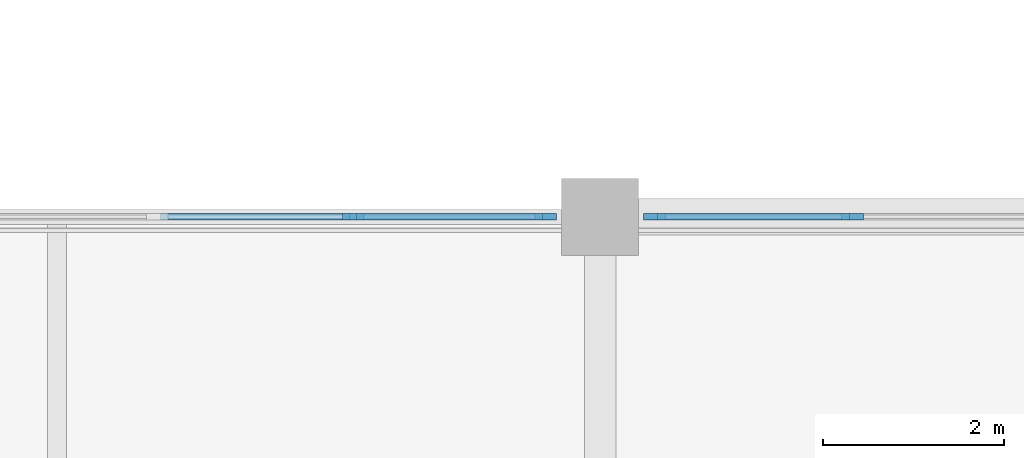
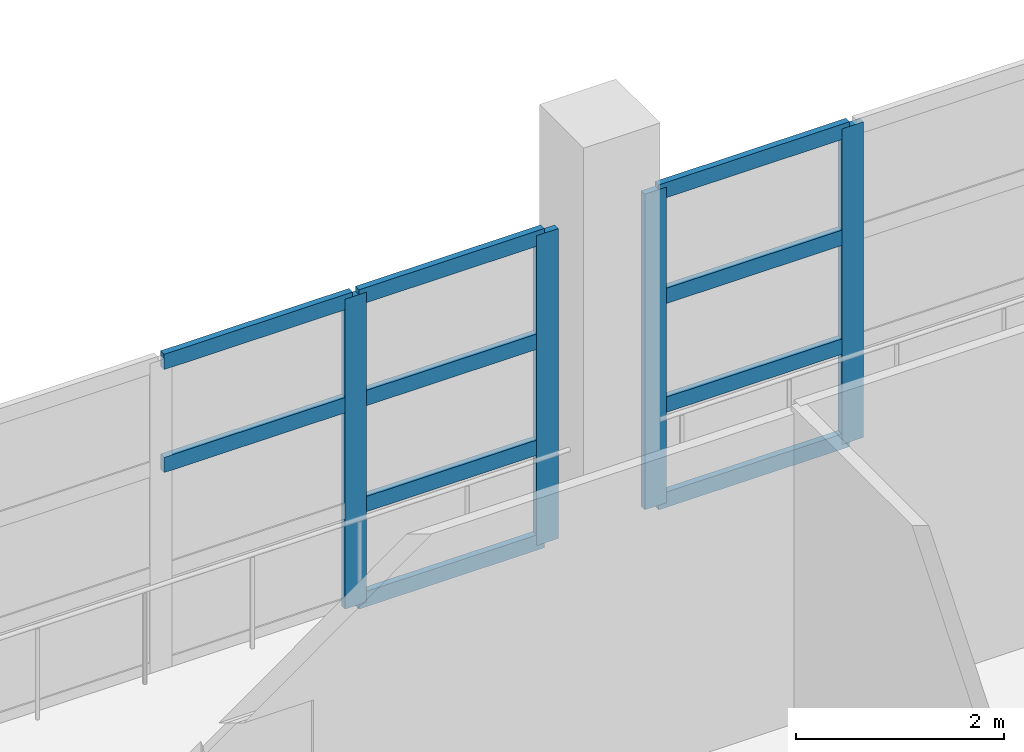
# One storey, part 13 of 53: 14 members, 2 elements without a shape of their own.
"""IFC4 building model written with IfcOpenShell, lengths in metres."""

from ifc_helpers import new_model, si_unit, direction, frame, origin, origin_2d, place, context, subcontext, project, spatial, rectangle, extrude, material, material_profile, profile_set, type_object, element, aggregate, save


model = new_model("IFC4")

# Units and contexts
model_context = context("Model", 3, precision=1e-05, world=origin(), true_north=direction((0.0, 1.0)))
body_context = subcontext(model_context, "Body", "Model", "MODEL_VIEW")
ifc_project = project(units=[si_unit("LENGTHUNIT", "METRE"), si_unit("AREAUNIT", "SQUARE_METRE"), si_unit("VOLUMEUNIT", "CUBIC_METRE"), si_unit("PLANEANGLEUNIT", "RADIAN"), si_unit("MASSUNIT", "GRAM", prefix="KILO")], contexts=[model_context])

# Site, building, storey
site_placement = place(None, origin())
site = spatial("IfcSite", under=ifc_project, at=site_placement, CompositionType="ELEMENT")
building_placement = place(site_placement, origin())
building = spatial("IfcBuilding", under=site, at=building_placement, Name="Luwafu Chhajja Arena", CompositionType="ELEMENT")
storey_placement = place(building_placement, frame((0.0, 0.0, 19.5)))
storey = spatial("IfcBuildingStorey", under=building, at=storey_placement, Name="L04", CompositionType="ELEMENT", Elevation=19.5)

# Curtain wall, members
ifc_material = material(Name="Anodised bronze aluminium", Category="aluminium")
curtain_wall_type = type_object("IfcCurtainWallType", Name="Media Ribbon Curtain Wall", PredefinedType="USERDEFINED", material=ifc_material)
curtain_wall_1_placement = place(storey_placement, origin())
curtain_wall_1 = element("IfcCurtainWall", 1, at=curtain_wall_1_placement, inside=storey, type_object=curtain_wall_type, Name="L04 Bowl Viewing Curtain Wall CWR-L04-03", ObjectType="CURTAIN WALL", PredefinedType="USERDEFINED")
ifc_material_profile_1 = material_profile(ifc_material, rectangle(XDim=0.070068359375, YDim=0.239990234375, at=origin_2d()), Name="CWM 70x240")
ifc_profile_set_1 = profile_set([ifc_material_profile_1], Name="Anodised bronze aluminium")
member_type_1 = type_object("IfcMemberType", Name="Bronze Curtain Wall Mullion 70x240", PredefinedType="MULLION", material=ifc_profile_set_1)
member_1_placement = place(storey_placement, frame((91.27099609375, 22.0, 0.0), z_axis=(0.0, 0.0, 1.0), x_axis=(0.0, 1.0, 0.0)))
member_1 = element("IfcMember", 2, at=member_1_placement, type_object=member_type_1, Name="CW-03 mullion 5", PredefinedType="MULLION", context=body_context, shape_type="SweptSolid", body=[
    extrude(rectangle(XDim=0.070068359375, YDim=0.239990234375, at=origin_2d()), origin(), (0.0, 0.0, 1.0), 3.639892578125),
])
member_2_placement = place(storey_placement, frame((93.39990234375, 22.0, 0.0), z_axis=(0.0, 0.0, 1.0), x_axis=(0.0, 1.0, 0.0)))
member_2 = element("IfcMember", 3, at=member_2_placement, type_object=member_type_1, Name="CW-03 mullion 6", PredefinedType="MULLION", context=body_context, shape_type="SweptSolid", body=[
    extrude(rectangle(XDim=0.070068359375, YDim=0.239990234375, at=origin_2d()), origin(), (0.0, 0.0, 1.0), 3.639892578125),
])

curtain_wall_2_placement = place(storey_placement, origin())
curtain_wall_2 = element("IfcCurtainWall", 4, at=curtain_wall_2_placement, inside=storey, type_object=curtain_wall_type, Name="L04 Bowl Viewing Curtain Wall CWR-L04-04", ObjectType="CURTAIN WALL", PredefinedType="USERDEFINED")
member_3_placement = place(storey_placement, frame((94.60009765625, 22.0, 0.0), z_axis=(0.0, 0.0, 1.0), x_axis=(0.0, 1.0, 0.0)))
member_3 = element("IfcMember", 5, at=member_3_placement, type_object=member_type_1, Name="CW-03 mullion 1", PredefinedType="MULLION", context=body_context, shape_type="SweptSolid", body=[
    extrude(rectangle(XDim=0.070068359375, YDim=0.239990234375, at=origin_2d()), origin(), (0.0, 0.0, 1.0), 3.70654296875),
])
member_4_placement = place(storey_placement, frame((96.788818359375, 22.0, 0.0), z_axis=(0.0, 0.0, 1.0), x_axis=(0.0, 1.0, 0.0)))
member_4 = element("IfcMember", 6, at=member_4_placement, type_object=member_type_1, Name="CW-03 mullion 2", PredefinedType="MULLION", context=body_context, shape_type="SweptSolid", body=[
    extrude(rectangle(XDim=0.070068359375, YDim=0.239990234375, at=origin_2d()), origin(), (0.0, 0.0, 1.0), 3.70654296875),
])

# Member
ifc_material_profile_2 = material_profile(ifc_material, rectangle(XDim=0.070068359375, YDim=0.179931640625, at=origin_2d()), Name="CWT 70x180")
ifc_profile_set_2 = profile_set([ifc_material_profile_2], Name="Anodised bronze aluminium")
member_type_2 = type_object("IfcMemberType", Name="Bronze Curtain Wall Transom 70x180", PredefinedType="USERDEFINED", material=ifc_profile_set_2)
member_5_placement = place(storey_placement, frame((89.14208984375, 22.0, 2.39501953125), z_axis=(1.0, 0.0, 0.0), x_axis=(0.0, 1.0, 0.0)))
member_5 = element("IfcMember", 7, at=member_5_placement, type_object=member_type_2, Name="CW-03 transom 4.3", ObjectType="TRANSOM", PredefinedType="USERDEFINED", context=body_context, shape_type="SweptSolid", body=[
    extrude(rectangle(XDim=0.070068359375, YDim=0.179931640625, at=origin_2d()), origin(), (0.0, 0.0, 1.0), 2.093994140625),
])

member_6_placement = place(storey_placement, frame((89.14208984375, 22.0, 3.60498046875), z_axis=(1.0, 0.0, 0.0), x_axis=(0.0, 1.0, 0.0)))
member_6 = element("IfcMember", 8, at=member_6_placement, type_object=member_type_2, Name="CW-03 transom 4.4", ObjectType="TRANSOM", PredefinedType="USERDEFINED", context=body_context, shape_type="SweptSolid", body=[
    extrude(rectangle(XDim=0.070068359375, YDim=0.179931640625, at=origin_2d()), origin(), (0.0, 0.0, 1.0), 2.093994140625),
])

member_7_placement = place(storey_placement, frame((91.305908203125, 22.0, 0.034912109375), z_axis=(1.0, 0.0, 0.0), x_axis=(0.0, 1.0, 0.0)))
member_7 = element("IfcMember", 9, at=member_7_placement, type_object=member_type_2, Name="CW-03 transom 5.1", ObjectType="TRANSOM", PredefinedType="USERDEFINED", context=body_context, shape_type="SweptSolid", body=[
    extrude(rectangle(XDim=0.070068359375, YDim=0.179931640625, at=origin_2d()), origin(), (0.0, 0.0, 1.0), 2.05908203125),
])

member_8_placement = place(storey_placement, frame((91.305908203125, 22.0, 1.14990234375), z_axis=(1.0, 0.0, 0.0), x_axis=(0.0, 1.0, 0.0)))
member_8 = element("IfcMember", 10, at=member_8_placement, type_object=member_type_2, Name="CW-03 transom 5.2", ObjectType="TRANSOM", PredefinedType="USERDEFINED", context=body_context, shape_type="SweptSolid", body=[
    extrude(rectangle(XDim=0.070068359375, YDim=0.179931640625, at=origin_2d()), origin(), (0.0, 0.0, 1.0), 2.05908203125),
])

member_9_placement = place(storey_placement, frame((91.305908203125, 22.0, 2.39501953125), z_axis=(1.0, 0.0, 0.0), x_axis=(0.0, 1.0, 0.0)))
member_9 = element("IfcMember", 11, at=member_9_placement, type_object=member_type_2, Name="CW-03 transom 5.3", ObjectType="TRANSOM", PredefinedType="USERDEFINED", context=body_context, shape_type="SweptSolid", body=[
    extrude(rectangle(XDim=0.070068359375, YDim=0.179931640625, at=origin_2d()), origin(), (0.0, 0.0, 1.0), 2.05908203125),
])

member_10_placement = place(storey_placement, frame((91.305908203125, 22.0, 3.60498046875), z_axis=(1.0, 0.0, 0.0), x_axis=(0.0, 1.0, 0.0)))
member_10 = element("IfcMember", 12, at=member_10_placement, type_object=member_type_2, Name="CW-03 transom 5.4", ObjectType="TRANSOM", PredefinedType="USERDEFINED", context=body_context, shape_type="SweptSolid", body=[
    extrude(rectangle(XDim=0.070068359375, YDim=0.179931640625, at=origin_2d()), origin(), (0.0, 0.0, 1.0), 2.05908203125),
])

aggregate(curtain_wall_1, [member_1, member_2, member_5, member_6, member_7, member_8, member_9, member_10])

member_11_placement = place(storey_placement, frame((94.635009765625, 22.0, 0.034912109375), z_axis=(1.0, 0.0, 0.0), x_axis=(0.0, 1.0, 0.0)))
member_11 = element("IfcMember", 13, at=member_11_placement, type_object=member_type_2, Name="CW-03 transom 1.1", ObjectType="TRANSOM", PredefinedType="USERDEFINED", context=body_context, shape_type="SweptSolid", body=[
    extrude(rectangle(XDim=0.070068359375, YDim=0.179931640625, at=origin_2d()), origin(), (0.0, 0.0, 1.0), 2.11865234375),
])

member_12_placement = place(storey_placement, frame((94.635009765625, 22.0, 1.14990234375), z_axis=(1.0, 0.0, 0.0), x_axis=(0.0, 1.0, 0.0)))
member_12 = element("IfcMember", 14, at=member_12_placement, type_object=member_type_2, Name="CW-03 transom 1.2", ObjectType="TRANSOM", PredefinedType="USERDEFINED", context=body_context, shape_type="SweptSolid", body=[
    extrude(rectangle(XDim=0.070068359375, YDim=0.179931640625, at=origin_2d()), origin(), (0.0, 0.0, 1.0), 2.11865234375),
])

member_13_placement = place(storey_placement, frame((94.635009765625, 22.0, 2.42822265625), z_axis=(1.0, 0.0, 0.0), x_axis=(0.0, 1.0, 0.0)))
member_13 = element("IfcMember", 15, at=member_13_placement, type_object=member_type_2, Name="CW-03 transom 1.3", ObjectType="TRANSOM", PredefinedType="USERDEFINED", context=body_context, shape_type="SweptSolid", body=[
    extrude(rectangle(XDim=0.070068359375, YDim=0.179931640625, at=origin_2d()), origin(), (0.0, 0.0, 1.0), 2.11865234375),
])

member_14_placement = place(storey_placement, frame((94.635009765625, 22.0, 3.67138671875), z_axis=(1.0, 0.0, 0.0), x_axis=(0.0, 1.0, 0.0)))
member_14 = element("IfcMember", 16, at=member_14_placement, type_object=member_type_2, Name="CW-03 transom 1.4", ObjectType="TRANSOM", PredefinedType="USERDEFINED", context=body_context, shape_type="SweptSolid", body=[
    extrude(rectangle(XDim=0.070068359375, YDim=0.179931640625, at=origin_2d()), origin(), (0.0, 0.0, 1.0), 2.11865234375),
])

aggregate(curtain_wall_2, [member_3, member_4, member_11, member_12, member_13, member_14])

save(model, "model.ifc")
